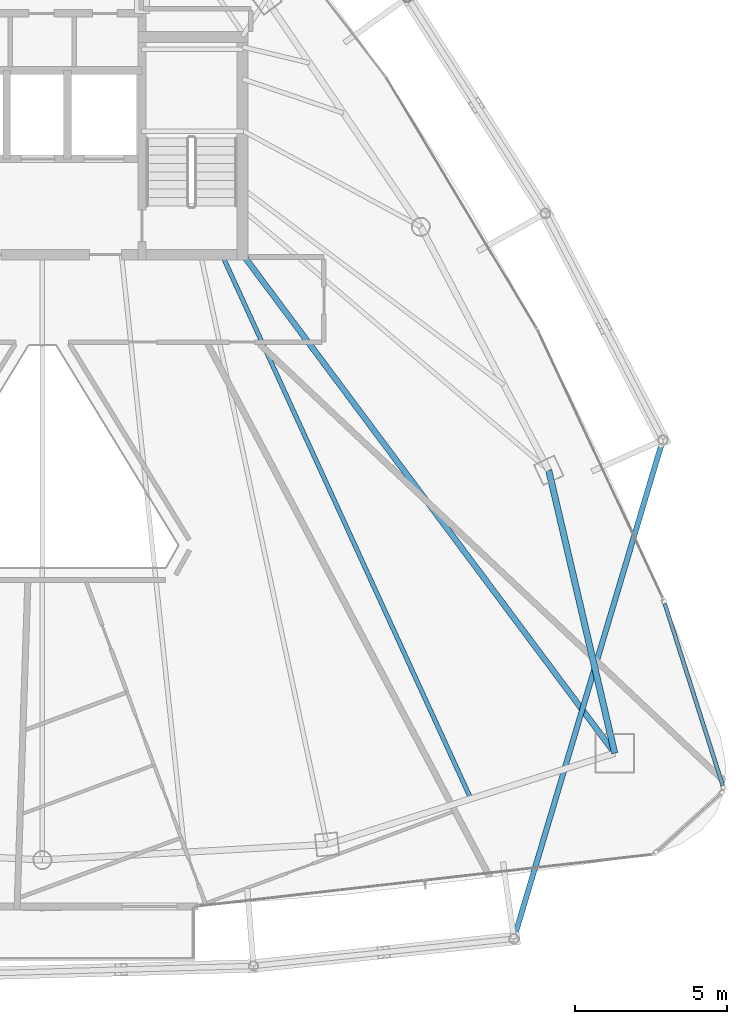
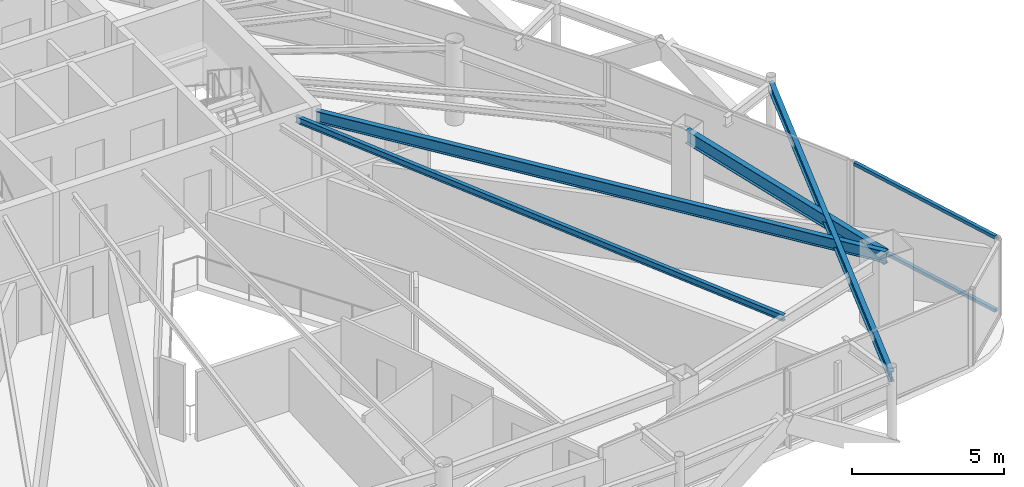
# One storey, part 15 of 30: 4 beams, 2 members, 1 element without a shape of its own.
"""IFC4 building model written with IfcOpenShell, lengths in metres."""

import ifcopenshell
import ifcopenshell.guid

model = None  # the IFC model being written
_history = None  # IfcOwnerHistory: only IFC2X3 demands one
_inside = {}  # id of a spatial element -> (the spatial element, [elements in it])
_under = {}  # id of a project, library or spatial element -> (it, [spatial elements below it])
_declared = {}  # id of a project -> (the project, [libraries it declares])
_typed = {}  # id of a type object -> (the type object, [elements of that type])
_made_of = {}  # id of a material, layer set ... -> (it, [elements and type objects made of it])


def new_model(schema):
    """Start an empty IFC model of exactly this schema.

    Asked for "IFC4X3", IfcOpenShell would pick the latest addendum, in which some entities
    have other attributes; the version numbers below select the first issue.
    IFC2X3 requires an IfcOwnerHistory on every rooted entity: one is made here for all.
    """
    global model, _history
    if schema == "IFC4X3":
        model = ifcopenshell.file(schema_version=(4, 3, 0, 0))
    else:
        model = ifcopenshell.file(schema=schema)
    _inside.clear()
    _under.clear()
    _declared.clear()
    _typed.clear()
    _made_of.clear()
    _history = None
    if model.schema == "IFC2X3":
        org = make("IfcOrganization", Name="unknown")
        user = make(
            "IfcPersonAndOrganization",
            ThePerson=make("IfcPerson", FamilyName="unknown"),
            TheOrganization=org,
        )
        app = make(
            "IfcApplication",
            ApplicationDeveloper=org,
            Version="unknown",
            ApplicationFullName="unknown",
            ApplicationIdentifier="unknown",
        )
        _history = make(
            "IfcOwnerHistory",
            OwningUser=user,
            OwningApplication=app,
            ChangeAction="ADDED",
            CreationDate=0,
        )
    return model


def make(cls, **values):
    """One entity of the class cls with the attributes given. An attribute that is None is left unset."""
    return model.create_entity(
        cls, **{name: value for name, value in values.items() if value is not None}
    )


def rooted(cls, **values):
    """An entity with a GlobalId (a new one), such as an element, a storey or a relation."""
    return make(cls, GlobalId=ifcopenshell.guid.new(), OwnerHistory=_history, **values)


def si_unit(unit_type, name, prefix=None):
    """IfcSIUnit, for example si_unit("LENGTHUNIT", "METRE", prefix="MILLI")."""
    return make("IfcSIUnit", UnitType=unit_type, Prefix=prefix, Name=name)


def assignment(units):
    """IfcUnitAssignment: the units of a project."""
    return None if units is None else make("IfcUnitAssignment", Units=units)


def point(xyz):
    """IfcCartesianPoint."""
    return None if xyz is None else make("IfcCartesianPoint", Coordinates=xyz)


def direction(xyz):
    """IfcDirection."""
    return None if xyz is None else make("IfcDirection", DirectionRatios=xyz)


def frame(location, z_axis=None, x_axis=None):
    """IfcAxis2Placement3D, a coordinate frame: its origin and axes. An axis left out is left unset."""
    return make(
        "IfcAxis2Placement3D",
        Location=point(location),
        Axis=direction(z_axis),
        RefDirection=direction(x_axis),
    )


def frame_2d(location, x_axis=None):
    """IfcAxis2Placement2D, a coordinate frame in the plane: its origin and x axis."""
    return make(
        "IfcAxis2Placement2D", Location=point(location), RefDirection=direction(x_axis)
    )


def origin():
    """The frame at (0, 0, 0) with its axes left unset."""
    return frame((0.0, 0.0, 0.0))


def origin_2d():
    """The frame at (0, 0) in the plane with its x axis left unset."""
    return frame_2d((0.0, 0.0))


def place(relative_to, where):
    """IfcLocalPlacement: puts the frame where relative to a parent placement (None: the world)."""
    return make(
        "IfcLocalPlacement", PlacementRelTo=relative_to, RelativePlacement=where
    )


def context(
    kind, dimensions, precision=None, world=None, true_north=None, identifier=None
):
    """IfcGeometricRepresentationContext, for example the 3D "Model" context."""
    return make(
        "IfcGeometricRepresentationContext",
        ContextIdentifier=identifier,
        ContextType=kind,
        CoordinateSpaceDimension=dimensions,
        Precision=precision,
        WorldCoordinateSystem=world,
        TrueNorth=true_north,
    )


def subcontext(parent, identifier, kind, view, scale=None):
    """IfcGeometricRepresentationSubContext, for example "Body" below "Model"."""
    return make(
        "IfcGeometricRepresentationSubContext",
        ContextIdentifier=identifier,
        ContextType=kind,
        ParentContext=parent,
        TargetScale=scale,
        TargetView=view,
    )


def project(units=None, contexts=None):
    """IfcProject with its units and contexts."""
    return rooted(
        "IfcProject",
        Name="project",
        RepresentationContexts=contexts,
        UnitsInContext=assignment(units),
    )


def spatial(cls, under=None, at=None, **own):
    """A site, building, storey or space (cls), placed at a placement, below another one or the project."""
    s = rooted(cls, ObjectPlacement=at, **own)
    if under is not None:
        _under.setdefault(under.id(), (under, []))[1].append(s)
    return s


def profile(cls, at=None, kind="AREA", **sizes):
    """A parametric profile (cls). Its sizes go by their IFC names, for example OverallWidth=200.0."""
    return make(cls, ProfileType=kind, Position=at, **sizes)


def hollow_rectangle(**sizes):
    """IfcRectangleHollowProfileDef."""
    return profile("IfcRectangleHollowProfileDef", **sizes)


def i_section(**sizes):
    """IfcIShapeProfileDef."""
    return profile("IfcIShapeProfileDef", **sizes)


def extrude(swept, where, along, depth):
    """IfcExtrudedAreaSolid: the profile swept, set in the frame where, extruded along a direction by depth."""
    return make(
        "IfcExtrudedAreaSolid",
        SweptArea=swept,
        Position=where,
        ExtrudedDirection=direction(along),
        Depth=depth,
    )


def shape(context_of_items, identifier, shape_type, items):
    """IfcShapeRepresentation: the items that make up one representation, for example the "Body"."""
    return make(
        "IfcShapeRepresentation",
        ContextOfItems=context_of_items,
        RepresentationIdentifier=identifier,
        RepresentationType=shape_type,
        Items=items,
    )


def material(Name=None, Category=None):
    """IfcMaterial."""
    return make("IfcMaterial", Name=Name, Category=Category)


def layer(
    of_material, thickness, ventilated=None, Name=None, Category=None, Priority=None
):
    """IfcMaterialLayer: one layer of a wall or slab, of a material (None: an air gap)."""
    return make(
        "IfcMaterialLayer",
        Material=of_material,
        LayerThickness=thickness,
        IsVentilated=ventilated,
        Name=Name,
        Category=Category,
        Priority=Priority,
    )


def layer_set(layers, Name=None):
    """IfcMaterialLayerSet."""
    return make("IfcMaterialLayerSet", MaterialLayers=layers, LayerSetName=Name)


def material_profile(
    of_material, cross_section, Name=None, Category=None, Priority=None
):
    """IfcMaterialProfile: a cross section and its material."""
    return make(
        "IfcMaterialProfile",
        Name=Name,
        Material=of_material,
        Profile=cross_section,
        Priority=Priority,
        Category=Category,
    )


def profile_set(profiles, Name=None, composite=None):
    """IfcMaterialProfileSet."""
    return make(
        "IfcMaterialProfileSet",
        Name=Name,
        MaterialProfiles=profiles,
        CompositeProfile=composite,
    )


def made_of(thing, what):
    """Note that an element or type object is made of a material, layer set ...; save() writes the relation."""
    if what is not None:
        _made_of.setdefault(what.id(), (what, []))[1].append(thing)
    return thing


def type_object(cls, material=None, **own):
    """A type object (cls), such as IfcWallType, which elements share."""
    return made_of(rooted(cls, **own), material)


def element(
    cls,
    number,
    at=None,
    inside=None,
    cuts=None,
    type_object=None,
    material=None,
    context=None,
    identifier="Body",
    shape_type=None,
    held_by="IfcProductDefinitionShape",
    body=None,
    shapes=None,
    **own,
):
    """One element of the class cls, such as IfcWall. Its Tag is "e" and its number.

    at: its placement. inside: the storey or other place that contains it. cuts: it is an
    opening in that element (IfcRelVoidsElement). A single representation is given by context,
    identifier, shape_type and body (its items); several are given by shapes. held_by: the class
    of the entity that holds the representations. save() writes the other relations.
    """
    e = rooted(cls, Tag="e%d" % number, ObjectPlacement=at, **own)
    if body is not None:
        shapes = [shape(context, identifier, shape_type, body)]
    if shapes is not None:
        e.Representation = make(held_by, Representations=shapes)
    if inside is not None:
        _inside.setdefault(inside.id(), (inside, []))[1].append(e)
    if cuts is not None:
        rooted(
            "IfcRelVoidsElement", RelatingBuildingElement=cuts, RelatedOpeningElement=e
        )
    if type_object is not None:
        _typed.setdefault(type_object.id(), (type_object, []))[1].append(e)
    return made_of(e, material)


def aggregate(whole, parts):
    """IfcRelAggregates: a whole, such as a stair, and the parts it consists of."""
    return rooted("IfcRelAggregates", RelatingObject=whole, RelatedObjects=parts)


def save(model, path):
    """Write the relations noted so far, then the file.

    IfcRelAggregates (storeys below a building ...), IfcRelContainedInSpatialStructure (elements
    in a storey), IfcRelDefinesByType, IfcRelAssociatesMaterial and IfcRelDeclares: one each for
    every whole, place, type object, material and project.
    """
    for whole, parts in _under.values():
        aggregate(whole, parts)
    for where, things in _inside.values():
        rooted(
            "IfcRelContainedInSpatialStructure",
            RelatedElements=things,
            RelatingStructure=where,
        )
    for kind, things in _typed.values():
        rooted("IfcRelDefinesByType", RelatedObjects=things, RelatingType=kind)
    for what, things in _made_of.values():
        rooted("IfcRelAssociatesMaterial", RelatedObjects=things, RelatingMaterial=what)
    for by, libraries in _declared.values():
        rooted("IfcRelDeclares", RelatingContext=by, RelatedDefinitions=libraries)
    model.write(path)


model = new_model("IFC4")

# Units and contexts
model_context = context("Model", 3, precision=1e-05, world=origin(), true_north=direction((0.0, 1.0)))
body_context = subcontext(model_context, "Body", "Model", "MODEL_VIEW")
ifc_project = project(units=[si_unit("LENGTHUNIT", "METRE"), si_unit("AREAUNIT", "SQUARE_METRE"), si_unit("VOLUMEUNIT", "CUBIC_METRE"), si_unit("PLANEANGLEUNIT", "RADIAN"), si_unit("MASSUNIT", "GRAM", prefix="KILO")], contexts=[model_context])

# Site, building, storey
site_placement = place(None, origin())
site = spatial("IfcSite", under=ifc_project, at=site_placement, CompositionType="ELEMENT")
building_placement = place(site_placement, origin())
building = spatial("IfcBuilding", under=site, at=building_placement, Name="Orvanel Arch Residences", CompositionType="ELEMENT")
storey_placement = place(building_placement, frame((0.0, 0.0, 240.35009765625)))
storey = spatial("IfcBuildingStorey", under=building, at=storey_placement, Name="L68", CompositionType="ELEMENT", Elevation=240.35009765625)

# Beams
ifc_material_1 = material(Name="Structural steel AS/NZS 3679.1 Grade 300 (300 MPa)", Category="steel")
ifc_material_profile_1 = material_profile(ifc_material_1, i_section(OverallWidth=0.19091796875, OverallDepth=0.4599609375, WebThickness=0.010009765625, FlangeThickness=0.01611328125, at=origin_2d()), Name="460UB82.1")
ifc_profile_set_1 = profile_set([ifc_material_profile_1], Name="Structural steel AS/NZS 3679.1 Grade 300 (300 MPa)")
beam_type_1 = type_object("IfcBeamType", Name="BG-460UB", PredefinedType="BEAM", material=ifc_profile_set_1)
beam_1_placement = place(storey_placement, frame((39.625, 26.675048828125, 2.829833984375), z_axis=(0.597893733742, -0.801575375839, 0.0), x_axis=(0.801575375839, 0.597893733742, 0.0)))
element("IfcBeam", 1, at=beam_1_placement, inside=storey, type_object=beam_type_1, Name="L68 South-East Radial Girder", PredefinedType="BEAM", context=body_context, shape_type="SweptSolid", body=[
    extrude(i_section(OverallWidth=0.19091796875, OverallDepth=0.4599609375, WebThickness=0.010009765625, FlangeThickness=0.01611328125, at=origin_2d()), origin(), (0.0, 0.0, 1.0), 20.36474609375),
])
ifc_material_profile_2 = material_profile(ifc_material_1, i_section(OverallWidth=0.14599609375, OverallDepth=0.251953125, WebThickness=0.006103515625, FlangeThickness=0.008544921875, at=origin_2d()), Name="250UB31.4")
ifc_profile_set_2 = profile_set([ifc_material_profile_2], Name="Structural steel AS/NZS 3679.1 Grade 300 (300 MPa)")
beam_type_2 = type_object("IfcBeamType", Name="BJ-250UB", PredefinedType="JOIST", material=ifc_profile_set_2)
beam_2_placement = place(storey_placement, frame((38.89990234375, 26.72509765625, 2.933837890625), z_axis=(0.416009574066, -0.909360233508, 0.0), x_axis=(0.909360233508, 0.416009574066, 0.0)))
element("IfcBeam", 2, at=beam_2_placement, inside=storey, type_object=beam_type_2, Name="L68 JADD2 Wing Floor Joist", PredefinedType="JOIST", context=body_context, shape_type="SweptSolid", body=[
    extrude(i_section(OverallWidth=0.14599609375, OverallDepth=0.251953125, WebThickness=0.006103515625, FlangeThickness=0.008544921875, at=origin_2d()), origin(), (0.0, 0.0, 1.0), 19.653564453125),
])
ifc_material_profile_3 = material_profile(ifc_material_1, i_section(OverallWidth=0.177978515625, OverallDepth=0.406005859375, WebThickness=0.0078125, FlangeThickness=0.0126953125, at=origin_2d()), Name="410UB59.7")
ifc_profile_set_3 = profile_set([ifc_material_profile_3], Name="Structural steel AS/NZS 3679.1 Grade 300 (300 MPa)")
beam_type_3 = type_object("IfcBeamType", Name="OB-410UB-EXT", PredefinedType="SPANDREL", material=ifc_profile_set_3)
beam_3_placement = place(storey_placement, frame((48.488037109375, 4.258056640625, 2.85693359375), z_axis=(0.286129263921, 0.958191027055, 0.0), x_axis=(-0.958191027055, 0.286129263921, 0.0)))
element("IfcBeam", 3, at=beam_3_placement, inside=storey, type_object=beam_type_3, Name="L68 Outer Perimeter Floor Ring Beam 08", PredefinedType="SPANDREL", context=body_context, shape_type="SweptSolid", body=[
    extrude(i_section(OverallWidth=0.177978515625, OverallDepth=0.406005859375, WebThickness=0.0078125, FlangeThickness=0.0126953125, at=origin_2d()), origin(), (0.0, 0.0, 1.0), 17.0966796875),
])
ifc_material_profile_4 = material_profile(ifc_material_1, i_section(OverallWidth=0.208984375, OverallDepth=0.532958984375, WebThickness=0.01025390625, FlangeThickness=0.015625, at=origin_2d()), Name="530UB92.4")
ifc_profile_set_4 = profile_set([ifc_material_profile_4], Name="Structural steel AS/NZS 3679.1 Grade 300 (300 MPa)")
beam_type_4 = type_object("IfcBeamType", Name="SP-530UB", PredefinedType="SPANDREL", material=ifc_profile_set_4)
beam_4_placement = place(storey_placement, frame((51.801025390625, 10.35107421875, 2.79296875), z_axis=(-0.227236087167, 0.973839699688, 0.0), x_axis=(-0.973839699688, -0.227236087167, 0.0)))
element("IfcBeam", 4, at=beam_4_placement, inside=storey, type_object=beam_type_4, Name="L68 Perimeter Spandrel Beam 06", PredefinedType="SPANDREL", context=body_context, shape_type="SweptSolid", body=[
    extrude(i_section(OverallWidth=0.208984375, OverallDepth=0.532958984375, WebThickness=0.01025390625, FlangeThickness=0.015625, at=origin_2d()), origin(), (0.0, 0.0, 1.0), 9.54052734375),
])

# Curtain wall, members
ifc_material_2 = material(Name="Bronze-anodised aluminium AA6063-T6", Category="aluminium")
ifc_layer = layer(ifc_material_2, 0.18994140625)
ifc_layer_set = layer_set([ifc_layer], Name="Bronze-anodised aluminium AA6063-T6")
curtain_wall_type = type_object("IfcCurtainWallType", Name="CW5-CRN-SYS", PredefinedType="NOTDEFINED", material=ifc_layer_set)
curtain_wall_placement = place(storey_placement, origin())
curtain_wall = element("IfcCurtainWall", 5, at=curtain_wall_placement, inside=storey, type_object=curtain_wall_type, Name="L68 CW5-CRN-SYS Unitised Curtain Wall", PredefinedType="NOTDEFINED")
ifc_material_profile_5 = material_profile(ifc_material_2, hollow_rectangle(XDim=0.1298828125, YDim=0.1298828125, WallThickness=0.00439453125, at=origin_2d()), Name="ALU130x130x4.5")
ifc_profile_set_5 = profile_set([ifc_material_profile_5], Name="Bronze-anodised aluminium AA6063-T6")
member_type = type_object("IfcMemberType", Name="TRN-130x130", PredefinedType="USERDEFINED", material=ifc_profile_set_5)
member_1_placement = place(storey_placement, frame((55.348388671875, 9.288818359375, 0.06494140625), z_axis=(-0.303579838033, 0.952806004358, 0.0), x_axis=(-0.952806004358, -0.303579838033, 0.0)))
member_1 = element("IfcMember", 6, at=member_1_placement, type_object=member_type, Name="CW-S5 transom 1.1", ObjectType="TRANSOM", PredefinedType="USERDEFINED", context=body_context, shape_type="SweptSolid", body=[
    extrude(hollow_rectangle(XDim=0.1298828125, YDim=0.1298828125, WallThickness=0.00439453125, at=origin_2d()), origin(), (0.0, 0.0, 1.0), 6.26806640625),
])
member_2_placement = place(storey_placement, frame((55.348388671875, 9.288818359375, 2.994873046875), z_axis=(-0.303579838033, 0.952806004358, 0.0), x_axis=(-0.952806004358, -0.303579838033, 0.0)))
member_2 = element("IfcMember", 7, at=member_2_placement, type_object=member_type, Name="CW-S5 transom 1.2", ObjectType="TRANSOM", PredefinedType="USERDEFINED", context=body_context, shape_type="SweptSolid", body=[
    extrude(hollow_rectangle(XDim=0.1298828125, YDim=0.1298828125, WallThickness=0.00439453125, at=origin_2d()), origin(), (0.0, 0.0, 1.0), 6.26806640625),
])
aggregate(curtain_wall, [member_1, member_2])

save(model, "model.ifc")
